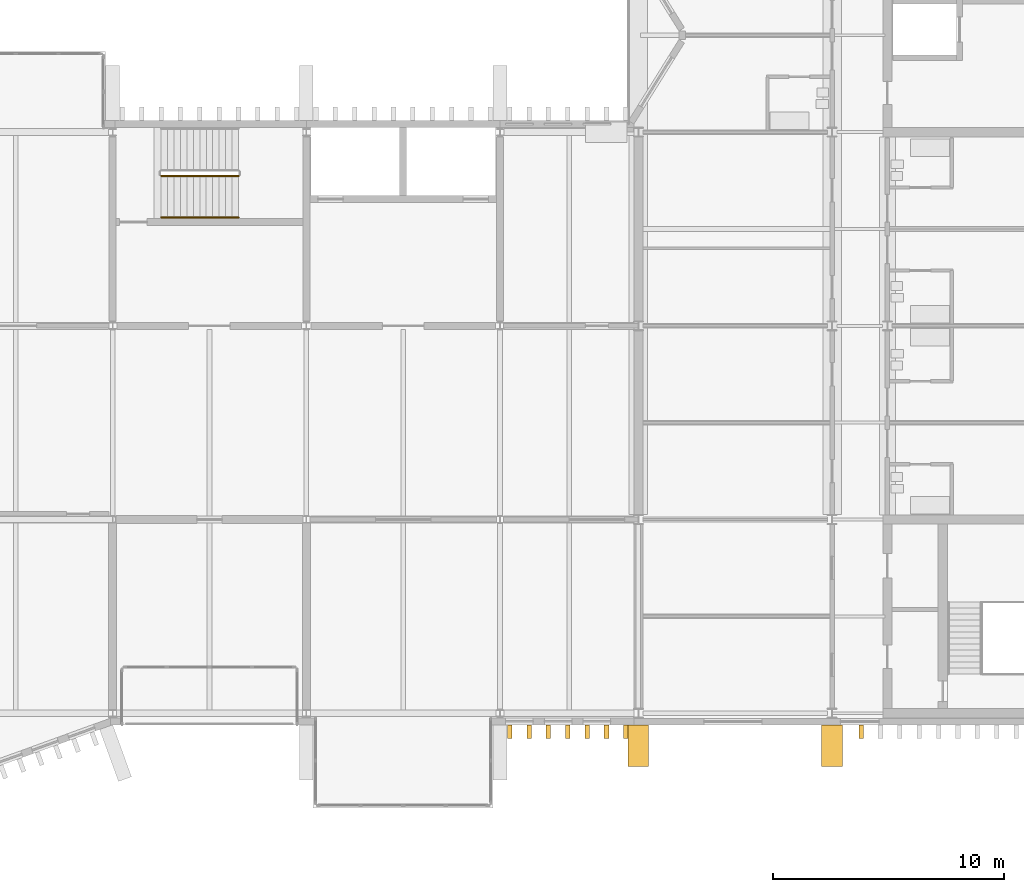
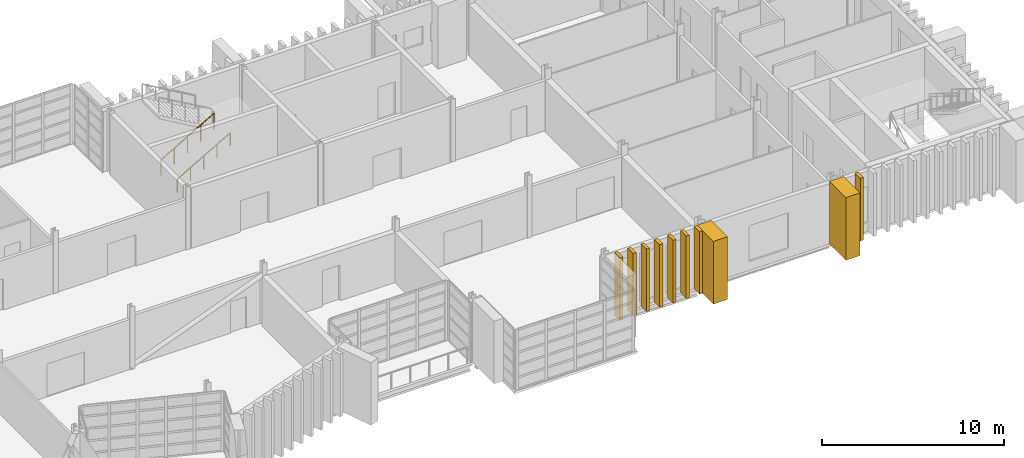
# One storey, part 97 of 100: 10 coverings, 2 railings.
"""IFC4 building model written with IfcOpenShell, lengths in metres."""

from ifc_helpers import new_model, si_unit, direction, frame, origin, origin_2d, place, context, subcontext, project, spatial, rectangle, circle, extrude, material, type_object, element, save


model = new_model("IFC4")

# Units and contexts
model_context = context("Model", 3, precision=1e-05, world=origin(), true_north=direction((0.0, 1.0)))
body_context = subcontext(model_context, "Body", "Model", "MODEL_VIEW")
ifc_project = project(units=[si_unit("LENGTHUNIT", "METRE"), si_unit("AREAUNIT", "SQUARE_METRE"), si_unit("VOLUMEUNIT", "CUBIC_METRE"), si_unit("PLANEANGLEUNIT", "RADIAN"), si_unit("MASSUNIT", "GRAM", prefix="KILO")], contexts=[model_context])

# Site, building, storey
site_placement = place(None, origin())
site = spatial("IfcSite", under=ifc_project, at=site_placement, CompositionType="ELEMENT")
building_placement = place(site_placement, origin())
building = spatial("IfcBuilding", under=site, at=building_placement, Name="Cresset Court Congress Hotel", CompositionType="ELEMENT")
storey_placement = place(building_placement, frame((0.0, 0.0, 10.199951171875)))
storey = spatial("IfcBuildingStorey", under=building, at=storey_placement, Name="L02", CompositionType="ELEMENT", Elevation=10.199951171875)

# Railings
ifc_material_1 = material(Name="Steel and laminated glass", Category="steel")
railing_type_1 = type_object("IfcRailingType", Name="Guard 1100 steel and glass", PredefinedType="GUARDRAIL", material=ifc_material_1)
railing_1_placement = place(storey_placement, frame((136.5, 23.300048828125, 0.16162109375)))
element("IfcRailing", 1, at=railing_1_placement, inside=storey, type_object=railing_type_1, Name="L02 ST-B5 stair guard 1", PredefinedType="GUARDRAIL", context=body_context, shape_type="SweptSolid", body=[
    extrude(circle(Radius=0.02392578125, at=origin_2d()), frame((0.0, 0.0, 1.076171875), z_axis=(0.866190824863, 0.0, 0.499713372768), x_axis=(0.0, 1.0, 0.0)), (0.0, 0.0, 1.0), 3.879150390625),
    extrude(circle(Radius=0.02099609375, at=origin_2d()), origin(), (0.0, 0.0, 1.0), 1.052001953125),
    extrude(circle(Radius=0.02099609375, at=origin_2d()), frame((0.840087890625, 0.0, 0.484619140625)), (0.0, 0.0, 1.0), 1.052001953125),
    extrude(circle(Radius=0.02099609375, at=origin_2d()), frame((1.68017578125, 0.0, 0.96923828125)), (0.0, 0.0, 1.0), 1.052001953125),
    extrude(circle(Radius=0.02099609375, at=origin_2d()), frame((2.52001953125, 0.0, 1.453857421875)), (0.0, 0.0, 1.0), 1.052001953125),
    extrude(circle(Radius=0.02099609375, at=origin_2d()), frame((3.360107421875, 0.0, 1.9384765625)), (0.0, 0.0, 1.0), 1.052001953125),
])
ifc_material_2 = material(Name="Stainless steel", Category="steel")
railing_type_2 = type_object("IfcRailingType", Name="Handrail 48 stainless", PredefinedType="HANDRAIL", material=ifc_material_2)
railing_2_placement = place(storey_placement, frame((136.5, 21.5, 0.16162109375)))
element("IfcRailing", 2, at=railing_2_placement, inside=storey, type_object=railing_type_2, Name="L02 ST-B5 stair handrail 1", PredefinedType="HANDRAIL", context=body_context, shape_type="SweptSolid", body=[
    extrude(circle(Radius=0.02392578125, at=origin_2d()), frame((0.0, 0.0, 0.8759765625), z_axis=(0.866190824863, 0.0, 0.499713372768), x_axis=(0.0, 1.0, 0.0)), (0.0, 0.0, 1.0), 3.879150390625),
    extrude(circle(Radius=0.02099609375, at=origin_2d()), origin(), (0.0, 0.0, 1.0), 0.851806640625),
    extrude(circle(Radius=0.02099609375, at=origin_2d()), frame((0.840087890625, 0.0, 0.484619140625)), (0.0, 0.0, 1.0), 0.851806640625),
    extrude(circle(Radius=0.02099609375, at=origin_2d()), frame((1.68017578125, 0.0, 0.96923828125)), (0.0, 0.0, 1.0), 0.851806640625),
    extrude(circle(Radius=0.02099609375, at=origin_2d()), frame((2.52001953125, 0.0, 1.453857421875)), (0.0, 0.0, 1.0), 0.851806640625),
    extrude(circle(Radius=0.02099609375, at=origin_2d()), frame((3.360107421875, 0.0, 1.9384765625)), (0.0, 0.0, 1.0), 0.851806640625),
])

# Coverings
ifc_material_3 = material(Name="Precast concrete C50", Category="concrete")
covering_type_1 = type_object("IfcCoveringType", Name="Precast stone fin 200x600", PredefinedType="CLADDING", material=ifc_material_3)
covering_placement = place(storey_placement, frame((166.860107421875, -0.800048828125, 0.0), z_axis=(0.0, 0.0, 1.0), x_axis=(1.0, 0.0, 0.0)))
element("IfcCovering", 3, at=covering_placement, inside=storey, type_object=covering_type_1, Name="Fin S012", PredefinedType="CLADDING", context=body_context, shape_type="SweptSolid", body=[
    extrude(rectangle(XDim=0.199951171875, YDim=0.60009765625, at=origin_2d()), origin(), (0.0, 0.0, 1.0), 4.199951171875),
])
ifc_material_4 = material(Name="Precast concrete C50", Category="concrete")
covering_type_2 = type_object("IfcCoveringType", Name="Precast stone fin 200x600 variant 1", PredefinedType="CLADDING", material=ifc_material_4)
for number, where, z_axis, x_axis, name in (
    (4, (151.6201171875, -0.800048828125, 0.0), (0.0, 0.0, 1.0), (1.0, 0.0, 0.0), "Fin S02-170"),
    (5, (152.4599609375, -0.800048828125, 0.0), (0.0, 0.0, 1.0), (1.0, 0.0, 0.0), "Fin S02-171"),
    (6, (153.300048828125, -0.800048828125, 0.0), (0.0, 0.0, 1.0), (1.0, 0.0, 0.0), "Fin S02-172"),
    (7, (154.139892578125, -0.800048828125, 0.0), (0.0, 0.0, 1.0), (1.0, 0.0, 0.0), "Fin S02-173"),
    (8, (154.97998046875, -0.800048828125, 0.0), (0.0, 0.0, 1.0), (1.0, 0.0, 0.0), "Fin S02-174"),
    (9, (155.820068359375, -0.800048828125, 0.0), (0.0, 0.0, 1.0), (1.0, 0.0, 0.0), "Fin S02-175"),
    (10, (156.659912109375, -0.800048828125, 0.0), (0.0, 0.0, 1.0), (1.0, 0.0, 0.0), "Fin S02-176"),
):
    element("IfcCovering", number, at=place(storey_placement, frame(where, z_axis=z_axis, x_axis=x_axis)), inside=storey, type_object=covering_type_2, Name=name, PredefinedType="CLADDING", context=body_context, shape_type="SweptSolid", body=[
        extrude(rectangle(XDim=0.199951171875, YDim=0.60009765625, at=origin_2d()), origin(), (0.0, 0.0, 1.0), 4.199951171875),
    ])
ifc_material_5 = material(Name="Precast concrete C50", Category="concrete")
covering_type_3 = type_object("IfcCoveringType", Name="Precast stone pier 900x1800", PredefinedType="CLADDING", material=ifc_material_5)
for number, where, z_axis, x_axis, name in (
    (11, (157.199951171875, -1.39990234375, 0.0), (0.0, 0.0, 1.0), (1.0, 0.0, 0.0), "Pier S01"),
    (12, (165.60009765625, -1.39990234375, 0.0), (0.0, 0.0, 1.0), (1.0, 0.0, 0.0), "Pier S02"),
):
    element("IfcCovering", number, at=place(storey_placement, frame(where, z_axis=z_axis, x_axis=x_axis)), inside=storey, type_object=covering_type_3, Name=name, PredefinedType="CLADDING", context=body_context, shape_type="SweptSolid", body=[
        extrude(rectangle(XDim=0.89990234375, YDim=1.800048828125, at=origin_2d()), origin(), (0.0, 0.0, 1.0), 4.199951171875),
    ])

save(model, "model.ifc")
